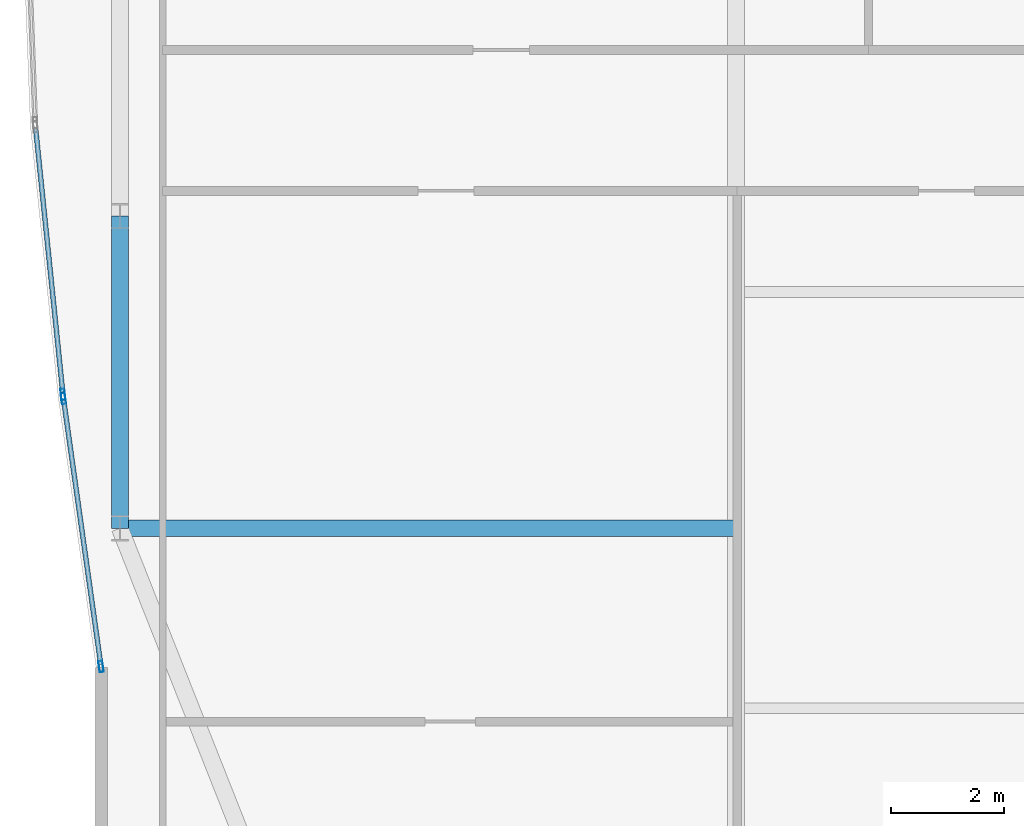
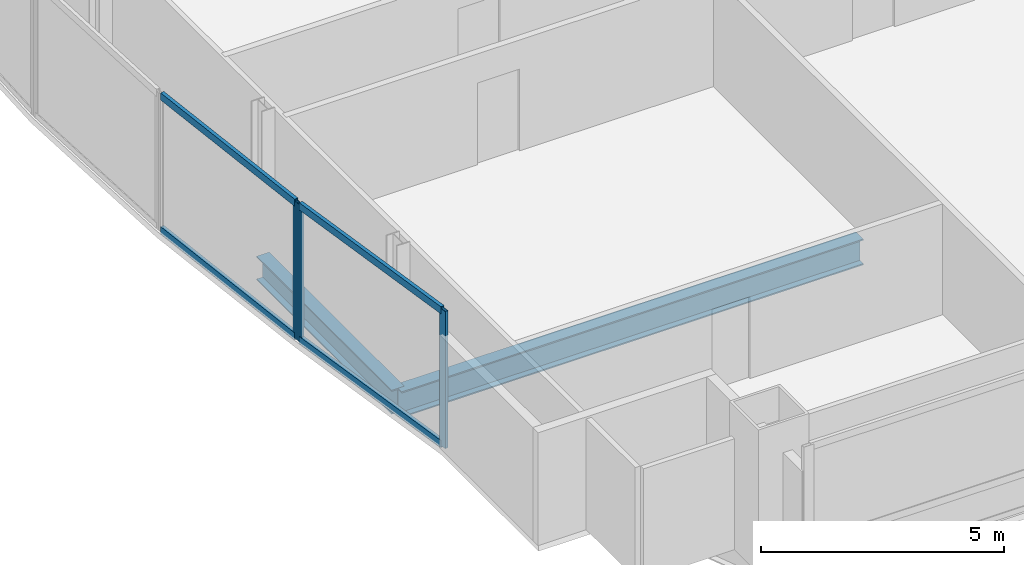
# One storey, part 6 of 32: 7 members, 2 beams, 2 elements without a shape of their own.
"""IFC4 building model written with IfcOpenShell, lengths in metres."""

from ifc_helpers import new_model, si_unit, direction, frame, origin, origin_2d, place, context, subcontext, project, spatial, hollow_rectangle, i_section, extrude, material, material_profile, profile_set, type_object, element, aggregate, save


model = new_model("IFC4")

# Units and contexts
model_context = context("Model", 3, precision=1e-05, world=origin(), true_north=direction((0.0, 1.0)))
body_context = subcontext(model_context, "Body", "Model", "MODEL_VIEW")
ifc_project = project(units=[si_unit("LENGTHUNIT", "METRE"), si_unit("AREAUNIT", "SQUARE_METRE"), si_unit("VOLUMEUNIT", "CUBIC_METRE"), si_unit("PLANEANGLEUNIT", "RADIAN"), si_unit("MASSUNIT", "GRAM", prefix="KILO")], contexts=[model_context])

# Site, building, storey
site_placement = place(None, origin())
site = spatial("IfcSite", under=ifc_project, at=site_placement, CompositionType="ELEMENT")
building_placement = place(site_placement, origin())
building = spatial("IfcBuilding", under=site, at=building_placement, Name="Khoronbel Lancet Exchange", CompositionType="ELEMENT")
storey_placement = place(building_placement, frame((0.0, 0.0, 228.199951171875)))
storey = spatial("IfcBuildingStorey", under=building, at=storey_placement, Name="L58", CompositionType="ELEMENT", Elevation=228.199951171875)

# Beams
ifc_material_1 = material(Name="Steel S355", Category="steel")
ifc_material_profile_1 = material_profile(ifc_material_1, i_section(OverallWidth=0.300048828125, OverallDepth=0.64990234375, WebThickness=0.01611328125, FlangeThickness=0.031005859375, at=origin_2d()), Name="HEB 650")
ifc_profile_set_1 = profile_set([ifc_material_profile_1], Name="Steel S355")
beam_type_1 = type_object("IfcBeamType", Name="BM-BG4", PredefinedType="BEAM", material=ifc_profile_set_1)
beam_1_placement = place(storey_placement, frame((7.27001953125, 19.199951171875, -0.48486328125), z_axis=(1.0, 0.0, 0.0), x_axis=(0.0, 1.0, 0.0)))
element("IfcBeam", 1, at=beam_1_placement, inside=storey, type_object=beam_type_1, Name="Level L58 west lens tie girder LG1W", PredefinedType="BEAM", context=body_context, shape_type="SweptSolid", body=[
    extrude(i_section(OverallWidth=0.300048828125, OverallDepth=0.64990234375, WebThickness=0.01611328125, FlangeThickness=0.031005859375, at=origin_2d()), origin(), (0.0, 0.0, 1.0), 10.955078125),
])
ifc_material_profile_2 = material_profile(ifc_material_1, i_section(OverallWidth=0.300048828125, OverallDepth=0.60009765625, WebThickness=0.015380859375, FlangeThickness=0.030029296875, at=origin_2d()), Name="HEB 600")
ifc_profile_set_2 = profile_set([ifc_material_profile_2], Name="Steel S355")
beam_type_2 = type_object("IfcBeamType", Name="BM-BSP2", PredefinedType="SPANDREL", material=ifc_profile_set_2)
beam_2_placement = place(storey_placement, frame((7.27001953125, 24.75, -0.4599609375), z_axis=(0.0, -1.0, 0.0), x_axis=(1.0, 0.0, 0.0)))
element("IfcBeam", 2, at=beam_2_placement, inside=storey, type_object=beam_type_2, Name="Level L58 perimeter spandrel beam SP20", PredefinedType="SPANDREL", context=body_context, shape_type="SweptSolid", body=[
    extrude(i_section(OverallWidth=0.300048828125, OverallDepth=0.60009765625, WebThickness=0.015380859375, FlangeThickness=0.030029296875, at=origin_2d()), origin(), (0.0, 0.0, 1.0), 5.550048828125),
])

# Curtain wall, members
ifc_material_2 = material(Name="Low-E Solar Control Insulating Glass", Category="glass")
curtain_wall_type = type_object("IfcCurtainWallType", Name="CW-4", PredefinedType="NOTDEFINED", material=ifc_material_2)
curtain_wall_1_placement = place(storey_placement, origin())
curtain_wall_1 = element("IfcCurtainWall", 3, at=curtain_wall_1_placement, inside=storey, type_object=curtain_wall_type, Name="Unitised curtain wall CW-L58-E04", PredefinedType="NOTDEFINED")
ifc_material_3 = material(Name="Bronze-Anodised Aluminium 6063-T6", Category="aluminium")
ifc_material_profile_3 = material_profile(ifc_material_3, hollow_rectangle(XDim=0.074951171875, YDim=0.199951171875, WallThickness=0.0048828125, at=origin_2d()), Name="ALU MULLION 75x200")
ifc_profile_set_3 = profile_set([ifc_material_profile_3], Name="Bronze-Anodised Aluminium 6063-T6")
member_type_1 = type_object("IfcMemberType", Name="MEM-CWM2", PredefinedType="MULLION", material=ifc_profile_set_3)
member_1_placement = place(storey_placement, frame((6.934814453125, 16.743408203125, 0.0), z_axis=(0.0, 0.0, 1.0), x_axis=(-0.990313393588, -0.138850215989, 0.0)))
member_1 = element("IfcMember", 4, at=member_1_placement, type_object=member_type_1, Name="CW4 mullion 1", PredefinedType="MULLION", context=body_context, shape_type="SweptSolid", body=[
    extrude(hollow_rectangle(XDim=0.074951171875, YDim=0.199951171875, WallThickness=0.0048828125, at=origin_2d()), origin(), (0.0, 0.0, 1.0), 3.43994140625),
])
member_2_placement = place(storey_placement, frame((6.266845703125, 21.507080078125, 0.0), z_axis=(0.0, 0.0, 1.0), x_axis=(-0.990313393588, -0.138850215989, 0.0)))
member_2 = element("IfcMember", 5, at=member_2_placement, type_object=member_type_1, Name="CW4 mullion 2", PredefinedType="MULLION", context=body_context, shape_type="SweptSolid", body=[
    extrude(hollow_rectangle(XDim=0.074951171875, YDim=0.199951171875, WallThickness=0.0048828125, at=origin_2d()), origin(), (0.0, 0.0, 1.0), 3.43994140625),
])

# Curtain wall, member
curtain_wall_2_placement = place(storey_placement, origin())
curtain_wall_2 = element("IfcCurtainWall", 6, at=curtain_wall_2_placement, inside=storey, type_object=curtain_wall_type, Name="Unitised curtain wall CW-L58-E05", PredefinedType="NOTDEFINED")
member_3_placement = place(storey_placement, frame((6.2578125, 21.581298828125, 0.0), z_axis=(0.0, 0.0, 1.0), x_axis=(-0.994772481584, -0.102116158773, 0.0)))
member_3 = element("IfcMember", 7, at=member_3_placement, type_object=member_type_1, Name="CW4 mullion 1", PredefinedType="MULLION", context=body_context, shape_type="SweptSolid", body=[
    extrude(hollow_rectangle(XDim=0.074951171875, YDim=0.199951171875, WallThickness=0.0048828125, at=origin_2d()), origin(), (0.0, 0.0, 1.0), 3.43994140625),
])

# Member
ifc_material_profile_4 = material_profile(ifc_material_3, hollow_rectangle(XDim=0.0849609375, YDim=0.179931640625, WallThickness=0.0048828125, at=origin_2d()), Name="ALU TRANSOM 85x180")
ifc_profile_set_4 = profile_set([ifc_material_profile_4], Name="Bronze-Anodised Aluminium 6063-T6")
member_type_2 = type_object("IfcMemberType", Name="MEM-CWT1", PredefinedType="USERDEFINED", material=ifc_profile_set_4)
member_4_placement = place(storey_placement, frame((6.9296875, 16.780517578125, 0.04248046875), z_axis=(-0.138851128463, 0.990313265651, 0.0), x_axis=(-0.990313265651, -0.138851128463, 0.0)))
member_4 = element("IfcMember", 8, at=member_4_placement, type_object=member_type_2, Name="CW4 transom 1.1", ObjectType="TRANSOM", PredefinedType="USERDEFINED", context=body_context, shape_type="SweptSolid", body=[
    extrude(hollow_rectangle(XDim=0.0849609375, YDim=0.179931640625, WallThickness=0.0048828125, at=origin_2d()), origin(), (0.0, 0.0, 1.0), 4.735107421875),
])

member_5_placement = place(storey_placement, frame((6.9296875, 16.780517578125, 3.3974609375), z_axis=(-0.138851128463, 0.990313265651, 0.0), x_axis=(-0.990313265651, -0.138851128463, 0.0)))
member_5 = element("IfcMember", 9, at=member_5_placement, type_object=member_type_2, Name="CW4 transom 1.2", ObjectType="TRANSOM", PredefinedType="USERDEFINED", context=body_context, shape_type="SweptSolid", body=[
    extrude(hollow_rectangle(XDim=0.0849609375, YDim=0.179931640625, WallThickness=0.0048828125, at=origin_2d()), origin(), (0.0, 0.0, 1.0), 4.735107421875),
])

aggregate(curtain_wall_1, [member_1, member_2, member_4, member_5])

member_6_placement = place(storey_placement, frame((6.254150390625, 21.61865234375, 0.04248046875), z_axis=(-0.102134213068, 0.994770628095, 0.0), x_axis=(-0.994770628095, -0.102134213068, 0.0)))
member_6 = element("IfcMember", 10, at=member_6_placement, type_object=member_type_2, Name="CW4 transom 1.1", ObjectType="TRANSOM", PredefinedType="USERDEFINED", context=body_context, shape_type="SweptSolid", body=[
    extrude(hollow_rectangle(XDim=0.0849609375, YDim=0.179931640625, WallThickness=0.0048828125, at=origin_2d()), origin(), (0.0, 0.0, 1.0), 4.704345703125),
])

member_7_placement = place(storey_placement, frame((6.254150390625, 21.61865234375, 3.3974609375), z_axis=(-0.102134213068, 0.994770628095, 0.0), x_axis=(-0.994770628095, -0.102134213068, 0.0)))
member_7 = element("IfcMember", 11, at=member_7_placement, type_object=member_type_2, Name="CW4 transom 1.2", ObjectType="TRANSOM", PredefinedType="USERDEFINED", context=body_context, shape_type="SweptSolid", body=[
    extrude(hollow_rectangle(XDim=0.0849609375, YDim=0.179931640625, WallThickness=0.0048828125, at=origin_2d()), origin(), (0.0, 0.0, 1.0), 4.704345703125),
])

aggregate(curtain_wall_2, [member_3, member_6, member_7])

save(model, "model.ifc")
